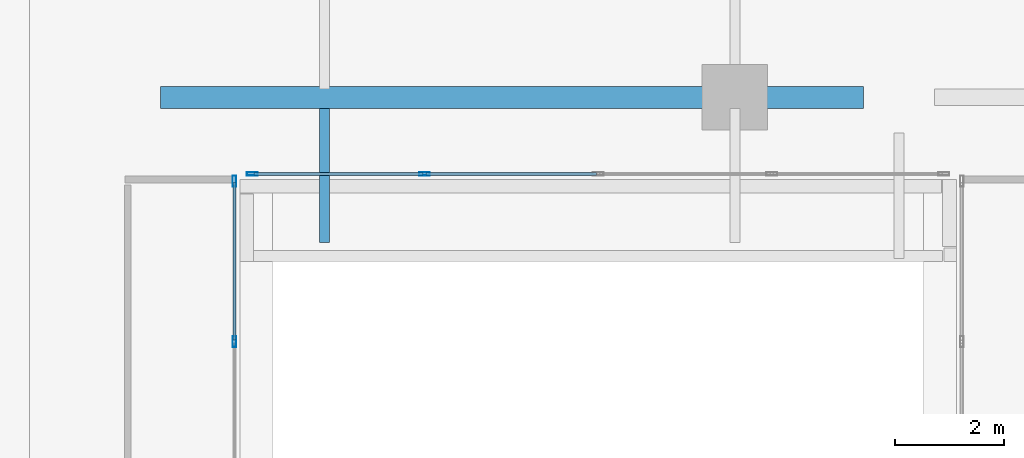
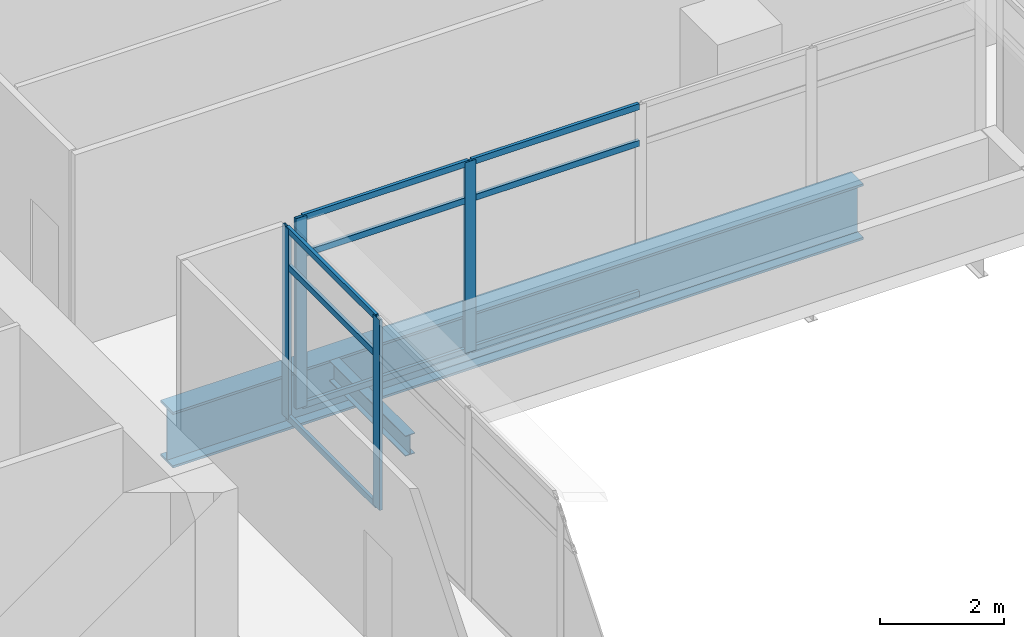
# One storey, part 6 of 43: 13 members, 2 beams, 2 elements without a shape of their own.
"""IFC4 building model written with IfcOpenShell, lengths in metres."""

from ifc_helpers import new_model, si_unit, direction, frame, origin, origin_2d, place, context, subcontext, project, spatial, hollow_rectangle, i_section, extrude, source, transform, mapped, material, material_profile, profile_set, type_object, element, aggregate, save


model = new_model("IFC4")

# Units and contexts
model_context = context("Model", 3, precision=1e-05, world=origin(), true_north=direction((0.0, 1.0)))
body_context = subcontext(model_context, "Body", "Model", "MODEL_VIEW")
ifc_project = project(units=[si_unit("LENGTHUNIT", "METRE"), si_unit("AREAUNIT", "SQUARE_METRE"), si_unit("VOLUMEUNIT", "CUBIC_METRE"), si_unit("PLANEANGLEUNIT", "RADIAN"), si_unit("MASSUNIT", "GRAM", prefix="KILO")], contexts=[model_context])

# Site, building, storey
site_placement = place(None, origin())
site = spatial("IfcSite", under=ifc_project, at=site_placement, CompositionType="ELEMENT")
building_placement = place(site_placement, origin())
building = spatial("IfcBuilding", under=site, at=building_placement, Name="Khomas Fold Tower", CompositionType="ELEMENT")
storey_placement = place(building_placement, frame((0.0, 0.0, 164.699951171875)))
storey = spatial("IfcBuildingStorey", under=building, at=storey_placement, Name="L35", CompositionType="ELEMENT", Elevation=164.699951171875)

# Beams
ifc_material_1 = material(Name="Steel S460M", Category="steel")
ifc_material_profile_1 = material_profile(ifc_material_1, i_section(OverallWidth=0.39990234375, OverallDepth=1.10009765625, WebThickness=0.02197265625, FlangeThickness=0.044921875, at=origin_2d()), Name="PG 1100x400")
ifc_profile_set_1 = profile_set([ifc_material_profile_1], Name="Steel S460M")
beam_type_1 = type_object("IfcBeamType", Name="PG 1100x400 beam TG1", PredefinedType="BEAM", material=ifc_profile_set_1)
shared_shape_1 = source(origin(), body_context, "Body", "SweptSolid", [
    extrude(i_section(OverallWidth=0.39990234375, OverallDepth=1.10009765625, WebThickness=0.02197265625, FlangeThickness=0.044921875, at=origin_2d()), origin(), (0.0, 0.0, 1.0), 12.85009765625),
])
beam_1_placement = place(storey_placement, frame((24.0, 22.5, -0.800048828125), z_axis=(1.0, 0.0, 0.0), x_axis=(0.0, 1.0, 0.0)))
element("IfcBeam", 1, at=beam_1_placement, inside=storey, type_object=beam_type_1, Name="TG1", PredefinedType="BEAM", context=body_context, shape_type="MappedRepresentation", body=[
    mapped(shared_shape_1, transform((0.0, 0.0, 0.0))),
])
ifc_material_2 = material(Name="Steel S355", Category="steel")
ifc_material_profile_2 = material_profile(ifc_material_2, i_section(OverallWidth=0.179931640625, OverallDepth=0.39990234375, WebThickness=0.008544921875, FlangeThickness=0.013427734375, at=origin_2d()), Name="IPE 400")
ifc_profile_set_2 = profile_set([ifc_material_profile_2], Name="Steel S355")
beam_type_2 = type_object("IfcBeamType", Name="IPE 400 beam LB1", PredefinedType="BEAM", material=ifc_profile_set_2)
shared_shape_2 = source(origin(), body_context, "Body", "SweptSolid", [
    extrude(i_section(OverallWidth=0.179931640625, OverallDepth=0.39990234375, WebThickness=0.008544921875, FlangeThickness=0.013427734375, at=origin_2d()), origin(), (0.0, 0.0, 1.0), 2.449951171875),
])
beam_2_placement = place(storey_placement, frame((27.0, 19.85009765625, -0.449951171875), z_axis=(0.0, 1.0, 0.0), x_axis=(-1.0, 0.0, 0.0)))
element("IfcBeam", 2, at=beam_2_placement, inside=storey, type_object=beam_type_2, Name="LB1", PredefinedType="BEAM", context=body_context, shape_type="MappedRepresentation", body=[
    mapped(shared_shape_2, transform((0.0, 0.0, 0.0))),
])

# Curtain wall, members
ifc_material_3 = material(Name="Aluminium framed double glazing", Category="aluminium")
curtain_wall_type = type_object("IfcCurtainWallType", Name="Notch glazing GN-CW", PredefinedType="NOTDEFINED", material=ifc_material_3)
curtain_wall_1_placement = place(storey_placement, origin())
curtain_wall_1 = element("IfcCurtainWall", 3, at=curtain_wall_1_placement, inside=storey, type_object=curtain_wall_type, Name="Notch glazing run", PredefinedType="NOTDEFINED")
ifc_material_4 = material(Name="Aluminium", Category="aluminium")
ifc_material_profile_3 = material_profile(ifc_material_4, hollow_rectangle(XDim=0.06005859375, YDim=0.1201171875, WallThickness=0.00390625, at=origin_2d()), Name="Notch glazing transom GN-CW-T")
ifc_profile_set_3 = profile_set([ifc_material_profile_3], Name="Aluminium")
member_type_1 = type_object("IfcMemberType", Name="Notch glazing transom GN-CW-T", PredefinedType="USERDEFINED", material=ifc_profile_set_3)
shared_shape_3 = source(origin(), body_context, "Body", "SweptSolid", [
    extrude(hollow_rectangle(XDim=0.06005859375, YDim=0.1201171875, WallThickness=0.00390625, at=origin_2d()), origin(), (0.0, 0.0, 1.0), 2.876708984375),
])
member_1_placement = place(storey_placement, frame((25.35009765625, 18.063232421875, 0.030029296875), z_axis=(0.0, 1.0, 0.0), x_axis=(-1.0, 0.0, 0.0)))
member_1 = element("IfcMember", 4, at=member_1_placement, type_object=member_type_1, Name="GN-CW transom 6.1", ObjectType="TRANSOM", PredefinedType="USERDEFINED", context=body_context, shape_type="MappedRepresentation", body=[
    mapped(shared_shape_3, transform((0.0, 0.0, 0.0))),
])
member_2_placement = place(storey_placement, frame((25.35009765625, 18.063232421875, 3.0), z_axis=(0.0, 1.0, 0.0), x_axis=(-1.0, 0.0, 0.0)))
member_2 = element("IfcMember", 5, at=member_2_placement, type_object=member_type_1, Name="GN-CW transom 6.2", ObjectType="TRANSOM", PredefinedType="USERDEFINED", context=body_context, shape_type="MappedRepresentation", body=[
    mapped(shared_shape_3, transform((0.0, 0.0, 0.0))),
])
member_3_placement = place(storey_placement, frame((25.35009765625, 18.063232421875, 3.719970703125), z_axis=(0.0, 1.0, 0.0), x_axis=(-1.0, 0.0, 0.0)))
member_3 = element("IfcMember", 6, at=member_3_placement, type_object=member_type_1, Name="GN-CW transom 6.3", ObjectType="TRANSOM", PredefinedType="USERDEFINED", context=body_context, shape_type="MappedRepresentation", body=[
    mapped(shared_shape_3, transform((0.0, 0.0, 0.0))),
])
ifc_material_5 = material(Name="Aluminium", Category="aluminium")
ifc_material_profile_4 = material_profile(ifc_material_5, hollow_rectangle(XDim=0.06005859375, YDim=0.199951171875, WallThickness=0.00390625, at=origin_2d()), Name="Notch glazing mullion GN-CW-M")
ifc_profile_set_4 = profile_set([ifc_material_profile_4], Name="Aluminium")
member_type_2 = type_object("IfcMemberType", Name="Notch glazing mullion GN-CW-M", PredefinedType="MULLION", material=ifc_profile_set_4)
shared_shape_4 = source(origin(), body_context, "Body", "SweptSolid", [
    extrude(hollow_rectangle(XDim=0.06005859375, YDim=0.199951171875, WallThickness=0.00390625, at=origin_2d()), origin(), (0.0, 0.0, 1.0), 3.75),
])
member_4_placement = place(storey_placement, frame((25.35009765625, 18.033447265625, 0.0), z_axis=(0.0, 0.0, 1.0), x_axis=(-1.0, 0.0, 0.0)))
member_4 = element("IfcMember", 7, at=member_4_placement, type_object=member_type_2, Name="GN-CW mullion 6", PredefinedType="MULLION", context=body_context, shape_type="MappedRepresentation", body=[
    mapped(shared_shape_4, transform((0.0, 0.0, 0.0))),
])
member_5_placement = place(storey_placement, frame((25.35009765625, 20.969970703125, 0.0), z_axis=(0.0, 0.0, 1.0), x_axis=(-1.0, 0.0, 0.0)))
member_5 = element("IfcMember", 8, at=member_5_placement, type_object=member_type_2, Name="GN-CW mullion 7", PredefinedType="MULLION", context=body_context, shape_type="MappedRepresentation", body=[
    mapped(shared_shape_4, transform((0.0, 0.0, 0.0))),
])
aggregate(curtain_wall_1, [member_4, member_5, member_1, member_2, member_3])

curtain_wall_2_placement = place(storey_placement, origin())
curtain_wall_2 = element("IfcCurtainWall", 9, at=curtain_wall_2_placement, inside=storey, type_object=curtain_wall_type, Name="Notch glazing run", PredefinedType="NOTDEFINED")
member_6_placement = place(storey_placement, frame((25.679931640625, 21.10009765625, 0.0), z_axis=(0.0, 0.0, 1.0), x_axis=(0.0, 1.0, 0.0)))
member_6 = element("IfcMember", 10, at=member_6_placement, type_object=member_type_2, Name="GN-CW mullion 1", PredefinedType="MULLION", context=body_context, shape_type="MappedRepresentation", body=[
    mapped(shared_shape_4, transform((0.0, 0.0, 0.0))),
])
member_7_placement = place(storey_placement, frame((28.824951171875, 21.10009765625, 0.0), z_axis=(0.0, 0.0, 1.0), x_axis=(0.0, 1.0, 0.0)))
member_7 = element("IfcMember", 11, at=member_7_placement, type_object=member_type_2, Name="GN-CW mullion 2", PredefinedType="MULLION", context=body_context, shape_type="MappedRepresentation", body=[
    mapped(shared_shape_4, transform((0.0, 0.0, 0.0))),
])
shared_shape_5 = source(origin(), body_context, "Body", "SweptSolid", [
    extrude(hollow_rectangle(XDim=0.06005859375, YDim=0.1201171875, WallThickness=0.00390625, at=origin_2d()), origin(), (0.0, 0.0, 1.0), 3.0849609375),
])
member_8_placement = place(storey_placement, frame((25.7099609375, 21.10009765625, 0.030029296875), z_axis=(1.0, 0.0, 0.0), x_axis=(0.0, 1.0, 0.0)))
member_8 = element("IfcMember", 12, at=member_8_placement, type_object=member_type_1, Name="GN-CW transom 1.1", ObjectType="TRANSOM", PredefinedType="USERDEFINED", context=body_context, shape_type="MappedRepresentation", body=[
    mapped(shared_shape_5, transform((0.0, 0.0, 0.0))),
])
member_9_placement = place(storey_placement, frame((25.7099609375, 21.10009765625, 3.0), z_axis=(1.0, 0.0, 0.0), x_axis=(0.0, 1.0, 0.0)))
member_9 = element("IfcMember", 13, at=member_9_placement, type_object=member_type_1, Name="GN-CW transom 1.2", ObjectType="TRANSOM", PredefinedType="USERDEFINED", context=body_context, shape_type="MappedRepresentation", body=[
    mapped(shared_shape_5, transform((0.0, 0.0, 0.0))),
])
member_10_placement = place(storey_placement, frame((25.7099609375, 21.10009765625, 3.719970703125), z_axis=(1.0, 0.0, 0.0), x_axis=(0.0, 1.0, 0.0)))
member_10 = element("IfcMember", 14, at=member_10_placement, type_object=member_type_1, Name="GN-CW transom 1.3", ObjectType="TRANSOM", PredefinedType="USERDEFINED", context=body_context, shape_type="MappedRepresentation", body=[
    mapped(shared_shape_5, transform((0.0, 0.0, 0.0))),
])
shared_shape_6 = source(origin(), body_context, "Body", "SweptSolid", [
    extrude(hollow_rectangle(XDim=0.06005859375, YDim=0.1201171875, WallThickness=0.00390625, at=origin_2d()), origin(), (0.0, 0.0, 1.0), 3.114990234375),
])
member_11_placement = place(storey_placement, frame((28.85498046875, 21.10009765625, 0.030029296875), z_axis=(1.0, 0.0, 0.0), x_axis=(0.0, 1.0, 0.0)))
member_11 = element("IfcMember", 15, at=member_11_placement, type_object=member_type_1, Name="GN-CW transom 2.1", ObjectType="TRANSOM", PredefinedType="USERDEFINED", context=body_context, shape_type="MappedRepresentation", body=[
    mapped(shared_shape_6, transform((0.0, 0.0, 0.0))),
])
member_12_placement = place(storey_placement, frame((28.85498046875, 21.10009765625, 3.0), z_axis=(1.0, 0.0, 0.0), x_axis=(0.0, 1.0, 0.0)))
member_12 = element("IfcMember", 16, at=member_12_placement, type_object=member_type_1, Name="GN-CW transom 2.2", ObjectType="TRANSOM", PredefinedType="USERDEFINED", context=body_context, shape_type="MappedRepresentation", body=[
    mapped(shared_shape_6, transform((0.0, 0.0, 0.0))),
])
member_13_placement = place(storey_placement, frame((28.85498046875, 21.10009765625, 3.719970703125), z_axis=(1.0, 0.0, 0.0), x_axis=(0.0, 1.0, 0.0)))
member_13 = element("IfcMember", 17, at=member_13_placement, type_object=member_type_1, Name="GN-CW transom 2.3", ObjectType="TRANSOM", PredefinedType="USERDEFINED", context=body_context, shape_type="MappedRepresentation", body=[
    mapped(shared_shape_6, transform((0.0, 0.0, 0.0))),
])
aggregate(curtain_wall_2, [member_6, member_7, member_8, member_9, member_10, member_11, member_12, member_13])

save(model, "model.ifc")
